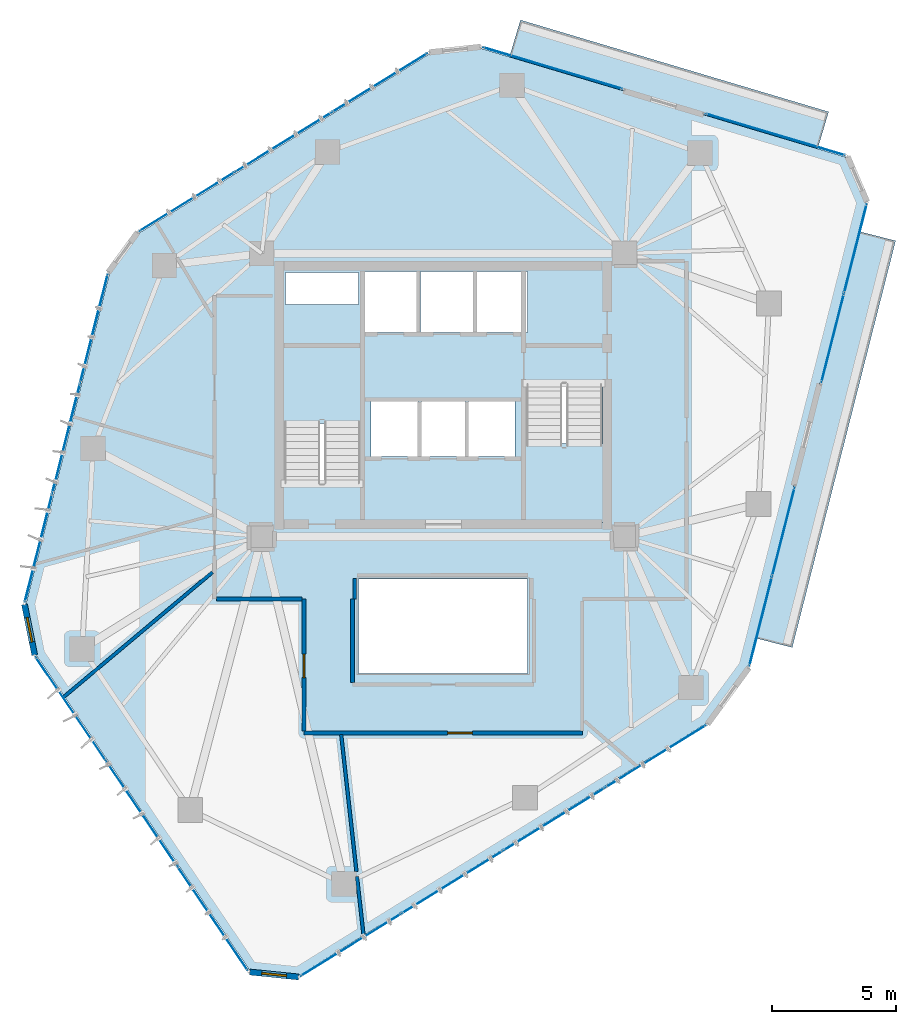
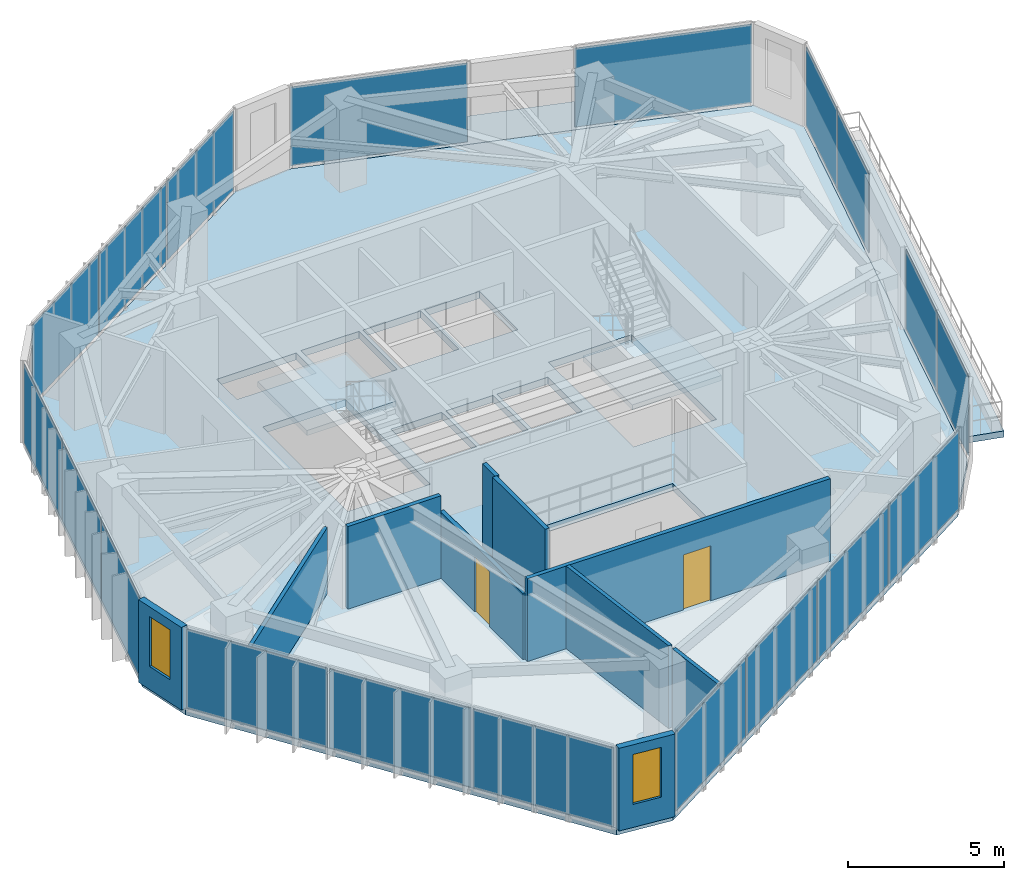
# One storey, part 15 of 21: 19 plates, 10 walls, 5 slabs, 2 doors, 2 windows, 4 openings, 10 elements without a shape of their own.
"""IFC4 building model written with IfcOpenShell, lengths in metres."""

from ifc_helpers import new_model, si_unit, direction, frame, frame_2d, origin, origin_2d, place, context, subcontext, project, spatial, polyline, rectangle, outline, extrude, source, transform, mapped, material, layer, layer_set, type_object, type_shapes, element, fill, aggregate, save


model = new_model("IFC4")

# Units and contexts
model_context = context("Model", 3, precision=1e-05, world=origin(), true_north=direction((0.0, 1.0)))
body_context = subcontext(model_context, "Body", "Model", "MODEL_VIEW")
ifc_project = project(units=[si_unit("LENGTHUNIT", "METRE"), si_unit("AREAUNIT", "SQUARE_METRE"), si_unit("VOLUMEUNIT", "CUBIC_METRE"), si_unit("PLANEANGLEUNIT", "RADIAN"), si_unit("MASSUNIT", "GRAM", prefix="KILO")], contexts=[model_context])

# Site, building, storey
site_placement = place(None, origin())
site = spatial("IfcSite", under=ifc_project, at=site_placement, CompositionType="ELEMENT")
building_placement = place(site_placement, origin())
building = spatial("IfcBuilding", under=site, at=building_placement, Name="Talar Marvaseh", CompositionType="ELEMENT")
storey_placement = place(building_placement, frame((0.0, 0.0, 184.5)))
storey = spatial("IfcBuildingStorey", under=building, at=storey_placement, Name="L48", CompositionType="ELEMENT", Elevation=184.5)

# Slabs
ifc_material_1 = material(Name="Concrete C40/50", Category="concrete")
ifc_layer_1 = layer(ifc_material_1, 0.2451171875)
ifc_layer_set_1 = layer_set([ifc_layer_1], Name="Concrete C40/50")
slab_type_1 = type_object("IfcSlabType", Name="External Cantilevered Planted Terrace Slab 245", PredefinedType="FLOOR", material=ifc_layer_set_1)
slab_1_placement = place(storey_placement, frame((0.0, 0.0, -0.2451171875)))
element("IfcSlab", 1, at=slab_1_placement, inside=storey, type_object=slab_type_1, Name="L48 Planted Balcony Terrace 1", PredefinedType="FLOOR", context=body_context, shape_type="SweptSolid", body=[
    extrude(outline(polyline([(28.669677734375, 44.810546875), (41.069580078125, 41.11474609375), (41.51220703125, 42.60009765625), (29.1123046875, 46.2958984375), (28.669677734375, 44.810546875)])), origin(), (0.0, 0.0, 1.0), 0.2451171875),
])
slab_2_placement = place(storey_placement, frame((0.0, 0.0, -0.2451171875)))
element("IfcSlab", 2, at=slab_2_placement, inside=storey, type_object=slab_type_1, Name="L48 Planted Balcony Terrace 2", PredefinedType="FLOOR", context=body_context, shape_type="SweptSolid", body=[
    extrude(outline(polyline([(42.70703125, 37.79296875), (38.547607421875, 21.425048828125), (40.0498046875, 21.043212890625), (44.209228515625, 37.4111328125), (42.70703125, 37.79296875)])), origin(), (0.0, 0.0, 1.0), 0.2451171875),
])

# Stair, slab
stair_type = type_object("IfcStairType", Name="Reinforced Concrete High-Rise Exit Stair Type C", PredefinedType="HALF_TURN_STAIR", material=ifc_material_1)
stair_1_placement = place(storey_placement, origin())
stair_1 = element("IfcStair", 3, at=stair_1_placement, inside=storey, type_object=stair_type, Name="L48 Tower West Core Exit Stair", PredefinedType="HALF_TURN_STAIR")
ifc_layer_2 = layer(ifc_material_1, 0.199951171875)
ifc_layer_set_2 = layer_set([ifc_layer_2], Name="Concrete C40/50")
slab_type_2 = type_object("IfcSlabType", Name="Reinforced Concrete Stair Half-Landing Slab 200", PredefinedType="LANDING", material=ifc_layer_set_2)
slab_3_placement = place(storey_placement, frame((0.0, 0.0, 1.550048828125)))
slab_3 = element("IfcSlab", 4, at=slab_3_placement, type_object=slab_type_2, Name="ST-1 landing 1", PredefinedType="LANDING", context=body_context, shape_type="SweptSolid", body=[
    extrude(outline(polyline([(22.780029296875, 30.050048828125), (22.780029296875, 33.219970703125), (19.47998046875, 33.219970703125), (19.47998046875, 30.050048828125), (22.780029296875, 30.050048828125)])), origin(), (0.0, 0.0, 1.0), 0.199951171875),
])
aggregate(stair_1, [slab_3])

stair_2_placement = place(storey_placement, origin())
stair_2 = element("IfcStair", 5, at=stair_2_placement, inside=storey, type_object=stair_type, Name="L48 Tower East Core Exit Stair", PredefinedType="HALF_TURN_STAIR")
slab_4_placement = place(storey_placement, frame((0.0, 0.0, 1.550048828125)))
slab_4 = element("IfcSlab", 6, at=slab_4_placement, type_object=slab_type_2, Name="ST-2 landing 1", PredefinedType="LANDING", context=body_context, shape_type="SweptSolid", body=[
    extrude(outline(polyline([(29.219970703125, 29.25), (29.219970703125, 26.080078125), (32.52001953125, 26.080078125), (32.52001953125, 29.25), (29.219970703125, 29.25)])), origin(), (0.0, 0.0, 1.0), 0.199951171875),
])
aggregate(stair_2, [slab_4])

# Slab
ifc_layer_3 = layer(ifc_material_1, 0.27001953125)
ifc_layer_set_3 = layer_set([ifc_layer_3], Name="Concrete C40/50")
slab_type_3 = type_object("IfcSlabType", Name="Structural Suspended Floor Slab 270", PredefinedType="FLOOR", material=ifc_layer_set_3)
slab_5_placement = place(storey_placement, frame((0.0, 0.0, -0.27001953125)))
element("IfcSlab", 7, at=slab_5_placement, inside=storey, type_object=slab_type_3, Name="L48 Tower Floor Slab", PredefinedType="FLOOR", context=body_context, shape_type="SweptSolid", body=[
    extrude(outline(polyline([(20.18701171875, 7.83935546875), (18.219482421875, 8.0400390625), (9.62060546875, 20.7421875), (9.208740234375, 22.789794921875), (12.572998046875, 36.10302734375), (13.757568359375, 37.718505859375), (25.44287109375, 44.930419921875), (27.51953125, 45.1533203125), (42.219482421875, 40.77197265625), (43.002685546875, 38.955810546875), (38.251953125, 20.261962890625), (36.587158203125, 17.99169921875), (20.18701171875, 7.83935546875)]), holes=[polyline([(22.659912109375, 27.64990234375), (22.659912109375, 33.10009765625), (19.60009765625, 33.10009765625), (19.60009765625, 27.64990234375), (22.659912109375, 27.64990234375)]), polyline([(29.340087890625, 31.64990234375), (29.340087890625, 26.199951171875), (32.39990234375, 26.199951171875), (32.39990234375, 31.64990234375), (29.340087890625, 31.64990234375)]), polyline([(22.800048828125, 33.719970703125), (24.93994140625, 33.719970703125), (24.93994140625, 36.179931640625), (22.800048828125, 36.179931640625), (22.800048828125, 33.719970703125)]), polyline([(25.080078125, 33.719970703125), (27.219970703125, 33.719970703125), (27.219970703125, 36.179931640625), (25.080078125, 36.179931640625), (25.080078125, 33.719970703125)]), polyline([(27.360107421875, 33.719970703125), (29.39990234375, 33.719970703125), (29.39990234375, 36.179931640625), (27.360107421875, 36.179931640625), (27.360107421875, 33.719970703125)]), polyline([(23.10009765625, 28.719970703125), (24.97998046875, 28.719970703125), (24.97998046875, 30.93994140625), (23.10009765625, 30.93994140625), (23.10009765625, 28.719970703125)]), polyline([(25.1201171875, 28.719970703125), (26.8798828125, 28.719970703125), (26.8798828125, 30.93994140625), (25.1201171875, 30.93994140625), (25.1201171875, 28.719970703125)]), polyline([(27.02001953125, 28.719970703125), (28.89990234375, 28.719970703125), (28.89990234375, 30.93994140625), (27.02001953125, 30.93994140625), (27.02001953125, 28.719970703125)]), polyline([(19.659912109375, 34.840087890625), (22.60009765625, 34.840087890625), (22.60009765625, 36.139892578125), (19.659912109375, 36.139892578125), (19.659912109375, 34.840087890625)]), polyline([(22.60009765625, 20.0), (29.39990234375, 20.0), (29.39990234375, 23.800048828125), (22.60009765625, 23.800048828125), (22.60009765625, 20.0)])]), origin(), (0.0, 0.0, 1.0), 0.27001953125),
])

# Curtain wall, plates
ifc_material_2 = material(Name="Architectural Aluminium", Category="aluminium")
ifc_layer_4 = layer(ifc_material_2, 0.18994140625)
ifc_layer_set_4 = layer_set([ifc_layer_4], Name="Architectural Aluminium")
curtain_wall_type = type_object("IfcCurtainWallType", Name="Unitised Solar Atelier Curtain Wall Z3", PredefinedType="NOTDEFINED", material=ifc_layer_set_4)
curtain_wall_1_placement = place(storey_placement, origin())
curtain_wall_1 = element("IfcCurtainWall", 8, at=curtain_wall_1_placement, inside=storey, type_object=curtain_wall_type, Name="L48 Unitised Solar Atelier Curtain Wall Z3", PredefinedType="NOTDEFINED")
ifc_material_3 = material(Name="Laminated Low-E Solar Glass", Category="glass")
ifc_layer_5 = layer(ifc_material_3, 0.028076171875)
ifc_layer_set_5 = layer_set([ifc_layer_5], Name="Laminated Low-E Solar Glass")
plate_type = type_object("IfcPlateType", Name="Double-Glazed Low-E Vision Curtain Panel 28", PredefinedType="CURTAIN_PANEL", material=ifc_layer_set_5)
shared_shape_1 = source(origin(), body_context, "Body", "SweptSolid", [
    extrude(rectangle(XDim=5.00048828125, YDim=0.028076171875, at=origin_2d()), origin(), (0.0, 0.0, 1.0), 3.080078125),
])
plate_1_placement = place(storey_placement, frame((16.726318359375, 10.13916015625, 0.074951171875), z_axis=(0.0, 0.0, 1.0), x_axis=(-0.560588215031, 0.82809471268, 0.0)))
plate_1 = element("IfcPlate", 9, at=plate_1_placement, type_object=plate_type, Name="CW-Z3 panel 1.1", PredefinedType="CURTAIN_PANEL", context=body_context, shape_type="MappedRepresentation", body=[
    mapped(shared_shape_1, transform((0.0, 0.0, 0.0), x_axis=(1.0, 0.0, 0.0), y_axis=(0.0, 1.0, 0.0), z_axis=(0.0, 0.0, 1.0), scale=1.0)),
])
plate_2_placement = place(storey_placement, frame((11.0146484375, 18.576171875, 0.074951171875), z_axis=(0.0, 0.0, 1.0), x_axis=(-0.560588215031, 0.82809471268, 0.0)))
plate_2 = element("IfcPlate", 10, at=plate_2_placement, type_object=plate_type, Name="CW-Z3 panel 3.1", PredefinedType="CURTAIN_PANEL", context=body_context, shape_type="MappedRepresentation", body=[
    mapped(shared_shape_1, transform((0.0, 0.0, 0.0), x_axis=(1.0, 0.0, 0.0), y_axis=(0.0, 1.0, 0.0), z_axis=(0.0, 0.0, 1.0), scale=1.0)),
])
shared_shape_2 = source(origin(), body_context, "Body", "SweptSolid", [
    extrude(rectangle(XDim=5.0380859375, YDim=0.028076171875, at=origin_2d()), origin(), (0.0, 0.0, 1.0), 3.080078125),
])
plate_3_placement = place(storey_placement, frame((13.870361328125, 14.357666015625, 0.074951171875), z_axis=(0.0, 0.0, 1.0), x_axis=(-0.560588215031, 0.82809471268, 0.0)))
plate_3 = element("IfcPlate", 11, at=plate_3_placement, type_object=plate_type, Name="CW-Z3 panel 2.1", PredefinedType="CURTAIN_PANEL", context=body_context, shape_type="MappedRepresentation", body=[
    mapped(shared_shape_2, transform((0.0, 0.0, 0.0), x_axis=(1.0, 0.0, 0.0), y_axis=(0.0, 1.0, 0.0), z_axis=(0.0, 0.0, 1.0), scale=1.0)),
])
aggregate(curtain_wall_1, [plate_1, plate_3, plate_2])

curtain_wall_2_placement = place(storey_placement, origin())
curtain_wall_2 = element("IfcCurtainWall", 12, at=curtain_wall_2_placement, inside=storey, type_object=curtain_wall_type, Name="L48 Unitised Solar Atelier Curtain Wall Z3", PredefinedType="NOTDEFINED")
shared_shape_3 = source(origin(), body_context, "Body", "SweptSolid", [
    extrude(rectangle(XDim=4.46484375, YDim=0.028076171875, at=origin_2d()), origin(), (0.0, 0.0, 1.0), 3.080078125),
])
plate_4_placement = place(storey_placement, frame((9.7158203125, 25.041748046875, 0.074951171875), z_axis=(0.0, 0.0, 1.0), x_axis=(0.245002294189, 0.969522498884, 0.0)))
plate_4 = element("IfcPlate", 13, at=plate_4_placement, type_object=plate_type, Name="CW-Z3 panel 1.1", PredefinedType="CURTAIN_PANEL", context=body_context, shape_type="MappedRepresentation", body=[
    mapped(shared_shape_3, transform((0.0, 0.0, 0.0), x_axis=(1.0, 0.0, 0.0), y_axis=(0.0, 1.0, 0.0), z_axis=(0.0, 0.0, 1.0), scale=1.0)),
])
plate_5_placement = place(storey_placement, frame((11.94970703125, 33.880859375, 0.074951171875), z_axis=(0.0, 0.0, 1.0), x_axis=(0.245002294189, 0.969522498884, 0.0)))
plate_5 = element("IfcPlate", 14, at=plate_5_placement, type_object=plate_type, Name="CW-Z3 panel 3.1", PredefinedType="CURTAIN_PANEL", context=body_context, shape_type="MappedRepresentation", body=[
    mapped(shared_shape_3, transform((0.0, 0.0, 0.0), x_axis=(1.0, 0.0, 0.0), y_axis=(0.0, 1.0, 0.0), z_axis=(0.0, 0.0, 1.0), scale=1.0)),
])
shared_shape_4 = source(origin(), body_context, "Body", "SweptSolid", [
    extrude(rectangle(XDim=4.502197265625, YDim=0.028076171875, at=origin_2d()), origin(), (0.0, 0.0, 1.0), 3.080078125),
])
plate_6_placement = place(storey_placement, frame((10.832763671875, 29.461181640625, 0.074951171875), z_axis=(0.0, 0.0, 1.0), x_axis=(0.245002294189, 0.969522498884, 0.0)))
plate_6 = element("IfcPlate", 15, at=plate_6_placement, type_object=plate_type, Name="CW-Z3 panel 2.1", PredefinedType="CURTAIN_PANEL", context=body_context, shape_type="MappedRepresentation", body=[
    mapped(shared_shape_4, transform((0.0, 0.0, 0.0), x_axis=(1.0, 0.0, 0.0), y_axis=(0.0, 1.0, 0.0), z_axis=(0.0, 0.0, 1.0), scale=1.0)),
])
aggregate(curtain_wall_2, [plate_4, plate_6, plate_5])

# Curtain wall, plate
curtain_wall_3_placement = place(storey_placement, origin())
curtain_wall_3 = element("IfcCurtainWall", 16, at=curtain_wall_3_placement, inside=storey, type_object=curtain_wall_type, Name="L48 Unitised Solar Atelier Curtain Wall Z3", PredefinedType="NOTDEFINED")
plate_7_placement = place(storey_placement, frame((19.56884765625, 41.37548828125, 0.074951171875), z_axis=(0.0, 0.0, 1.0), x_axis=(0.850976735359, 0.525203385249, 0.0)))
plate_7 = element("IfcPlate", 17, at=plate_7_placement, type_object=plate_type, Name="CW-Z3 panel 2.1", PredefinedType="CURTAIN_PANEL", context=body_context, shape_type="MappedRepresentation", body=[
    mapped(shared_shape_4, transform((0.0, 0.0, 0.0), x_axis=(1.0, 0.0, 0.0), y_axis=(0.0, 1.0, 0.0), z_axis=(0.0, 0.0, 1.0), scale=1.0)),
])

# Curtain wall, plates
curtain_wall_4_placement = place(storey_placement, origin())
curtain_wall_4 = element("IfcCurtainWall", 18, at=curtain_wall_4_placement, inside=storey, type_object=curtain_wall_type, Name="L48 Unitised Solar Atelier Curtain Wall Z3", PredefinedType="NOTDEFINED")
shared_shape_5 = source(origin(), body_context, "Body", "SweptSolid", [
    extrude(rectangle(XDim=4.70947265625, YDim=0.028076171875, at=origin_2d()), origin(), (0.0, 0.0, 1.0), 3.080078125),
])
plate_8_placement = place(storey_placement, frame((34.552734375, 16.661865234375, 0.074951171875), z_axis=(0.0, 0.0, 1.0), x_axis=(-0.850268461368, -0.526349260096, 0.0)))
plate_8 = element("IfcPlate", 19, at=plate_8_placement, type_object=plate_type, Name="CW-Z3 panel 1.1", PredefinedType="CURTAIN_PANEL", context=body_context, shape_type="MappedRepresentation", body=[
    mapped(shared_shape_5, transform((0.0, 0.0, 0.0), x_axis=(1.0, 0.0, 0.0), y_axis=(0.0, 1.0, 0.0), z_axis=(0.0, 0.0, 1.0), scale=1.0)),
])
plate_9_placement = place(storey_placement, frame((22.28466796875, 9.0673828125, 0.074951171875), z_axis=(0.0, 0.0, 1.0), x_axis=(-0.850268461368, -0.526349260096, 0.0)))
plate_9 = element("IfcPlate", 20, at=plate_9_placement, type_object=plate_type, Name="CW-Z3 panel 4.1", PredefinedType="CURTAIN_PANEL", context=body_context, shape_type="MappedRepresentation", body=[
    mapped(shared_shape_5, transform((0.0, 0.0, 0.0), x_axis=(1.0, 0.0, 0.0), y_axis=(0.0, 1.0, 0.0), z_axis=(0.0, 0.0, 1.0), scale=1.0)),
])
shared_shape_6 = source(origin(), body_context, "Body", "SweptSolid", [
    extrude(rectangle(XDim=4.7470703125, YDim=0.028076171875, at=origin_2d()), origin(), (0.0, 0.0, 1.0), 3.080078125),
])
plate_10_placement = place(storey_placement, frame((30.46875, 14.133544921875, 0.074951171875), z_axis=(0.0, 0.0, 1.0), x_axis=(-0.850268461368, -0.526349260096, 0.0)))
plate_10 = element("IfcPlate", 21, at=plate_10_placement, type_object=plate_type, Name="CW-Z3 panel 2.1", PredefinedType="CURTAIN_PANEL", context=body_context, shape_type="MappedRepresentation", body=[
    mapped(shared_shape_6, transform((0.0, 0.0, 0.0), x_axis=(1.0, 0.0, 0.0), y_axis=(0.0, 1.0, 0.0), z_axis=(0.0, 0.0, 1.0), scale=1.0)),
])
plate_11_placement = place(storey_placement, frame((26.36865234375, 11.595458984375, 0.074951171875), z_axis=(0.0, 0.0, 1.0), x_axis=(-0.850268461368, -0.526349260096, 0.0)))
plate_11 = element("IfcPlate", 22, at=plate_11_placement, type_object=plate_type, Name="CW-Z3 panel 3.1", PredefinedType="CURTAIN_PANEL", context=body_context, shape_type="MappedRepresentation", body=[
    mapped(shared_shape_6, transform((0.0, 0.0, 0.0), x_axis=(1.0, 0.0, 0.0), y_axis=(0.0, 1.0, 0.0), z_axis=(0.0, 0.0, 1.0), scale=1.0)),
])
aggregate(curtain_wall_4, [plate_8, plate_10, plate_11, plate_9])

# Plate
shared_shape_7 = source(origin(), body_context, "Body", "SweptSolid", [
    extrude(rectangle(XDim=4.464599609375, YDim=0.028076171875, at=origin_2d()), origin(), (0.0, 0.0, 1.0), 3.080078125),
])
plate_12_placement = place(storey_placement, frame((15.689697265625, 38.9814453125, 0.074951171875), z_axis=(0.0, 0.0, 1.0), x_axis=(0.850976735359, 0.525203385249, 0.0)))
plate_12 = element("IfcPlate", 23, at=plate_12_placement, type_object=plate_type, Name="CW-Z3 panel 1.1", PredefinedType="CURTAIN_PANEL", context=body_context, shape_type="MappedRepresentation", body=[
    mapped(shared_shape_7, transform((0.0, 0.0, 0.0), x_axis=(1.0, 0.0, 0.0), y_axis=(0.0, 1.0, 0.0), z_axis=(0.0, 0.0, 1.0), scale=1.0)),
])

plate_13_placement = place(storey_placement, frame((23.447998046875, 43.769775390625, 0.074951171875), z_axis=(0.0, 0.0, 1.0), x_axis=(0.850976735359, 0.525203385249, 0.0)))
plate_13 = element("IfcPlate", 24, at=plate_13_placement, type_object=plate_type, Name="CW-Z3 panel 3.1", PredefinedType="CURTAIN_PANEL", context=body_context, shape_type="MappedRepresentation", body=[
    mapped(shared_shape_7, transform((0.0, 0.0, 0.0), x_axis=(1.0, 0.0, 0.0), y_axis=(0.0, 1.0, 0.0), z_axis=(0.0, 0.0, 1.0), scale=1.0)),
])

aggregate(curtain_wall_3, [plate_12, plate_7, plate_13])

# Curtain wall, plate
curtain_wall_5_placement = place(storey_placement, origin())
curtain_wall_5 = element("IfcCurtainWall", 25, at=curtain_wall_5_placement, inside=storey, type_object=curtain_wall_type, Name="L48 Unitised Solar Atelier Curtain Wall Z3", PredefinedType="NOTDEFINED")
shared_shape_8 = source(origin(), body_context, "Body", "SweptSolid", [
    extrude(rectangle(XDim=5.832275390625, YDim=0.028076171875, at=origin_2d()), origin(), (0.0, 0.0, 1.0), 3.080078125),
])
plate_14_placement = place(storey_placement, frame((30.4033203125, 44.3564453125, 0.074951171875), z_axis=(0.0, 0.0, 1.0), x_axis=(0.958340033669, -0.285629795133, 0.0)))
plate_14 = element("IfcPlate", 26, at=plate_14_placement, type_object=plate_type, Name="CW-Z3 panel 1.1", PredefinedType="CURTAIN_PANEL", context=body_context, shape_type="MappedRepresentation", body=[
    mapped(shared_shape_8, transform((0.0, 0.0, 0.0), x_axis=(1.0, 0.0, 0.0), y_axis=(0.0, 1.0, 0.0), z_axis=(0.0, 0.0, 1.0), scale=1.0)),
])
aggregate(curtain_wall_5, [plate_14])

curtain_wall_6_placement = place(storey_placement, origin())
curtain_wall_6 = element("IfcCurtainWall", 27, at=curtain_wall_6_placement, inside=storey, type_object=curtain_wall_type, Name="L48 Unitised Solar Atelier Curtain Wall Z3", PredefinedType="NOTDEFINED")
plate_15_placement = place(storey_placement, frame((39.3701171875, 41.683837890625, 0.074951171875), z_axis=(0.0, 0.0, 1.0), x_axis=(0.958340033669, -0.285629795133, 0.0)))
plate_15 = element("IfcPlate", 28, at=plate_15_placement, type_object=plate_type, Name="CW-Z3 panel 1.1", PredefinedType="CURTAIN_PANEL", context=body_context, shape_type="MappedRepresentation", body=[
    mapped(shared_shape_8, transform((0.0, 0.0, 0.0), x_axis=(1.0, 0.0, 0.0), y_axis=(0.0, 1.0, 0.0), z_axis=(0.0, 0.0, 1.0), scale=1.0)),
])
aggregate(curtain_wall_6, [plate_15])

# Curtain wall, plates
curtain_wall_7_placement = place(storey_placement, origin())
curtain_wall_7 = element("IfcCurtainWall", 29, at=curtain_wall_7_placement, inside=storey, type_object=curtain_wall_type, Name="L48 Unitised Solar Atelier Curtain Wall Z3", PredefinedType="NOTDEFINED")
shared_shape_9 = source(origin(), body_context, "Body", "SweptSolid", [
    extrude(rectangle(XDim=3.648681640625, YDim=0.028076171875, at=origin_2d()), origin(), (0.0, 0.0, 1.0), 3.080078125),
])
type_shapes(plate_type, [shared_shape_1, shared_shape_2, shared_shape_3, shared_shape_4, shared_shape_5, shared_shape_6, shared_shape_7, shared_shape_8, shared_shape_9])
plate_16_placement = place(storey_placement, frame((42.593017578125, 37.100341796875, 0.074951171875), z_axis=(0.0, 0.0, 1.0), x_axis=(-0.246306080618, -0.969192093782, 0.0)))
plate_16 = element("IfcPlate", 30, at=plate_16_placement, type_object=plate_type, Name="CW-Z3 panel 1.1", PredefinedType="CURTAIN_PANEL", context=body_context, shape_type="MappedRepresentation", body=[
    mapped(shared_shape_9, transform((0.0, 0.0, 0.0), x_axis=(1.0, 0.0, 0.0), y_axis=(0.0, 1.0, 0.0), z_axis=(0.0, 0.0, 1.0), scale=1.0)),
])
plate_17_placement = place(storey_placement, frame((41.67578125, 33.4912109375, 0.074951171875), z_axis=(0.0, 0.0, 1.0), x_axis=(-0.246306080618, -0.969192093782, 0.0)))
plate_17 = element("IfcPlate", 31, at=plate_17_placement, type_object=plate_type, Name="CW-Z3 panel 2.1", PredefinedType="CURTAIN_PANEL", context=body_context, shape_type="MappedRepresentation", body=[
    mapped(shared_shape_9, transform((0.0, 0.0, 0.0), x_axis=(1.0, 0.0, 0.0), y_axis=(0.0, 1.0, 0.0), z_axis=(0.0, 0.0, 1.0), scale=1.0)),
])
aggregate(curtain_wall_7, [plate_16, plate_17])

curtain_wall_8_placement = place(storey_placement, origin())
curtain_wall_8 = element("IfcCurtainWall", 32, at=curtain_wall_8_placement, inside=storey, type_object=curtain_wall_type, Name="L48 Unitised Solar Atelier Curtain Wall Z3", PredefinedType="NOTDEFINED")
plate_18_placement = place(storey_placement, frame((39.695068359375, 25.697021484375, 0.074951171875), z_axis=(0.0, 0.0, 1.0), x_axis=(-0.246306080618, -0.969192093782, 0.0)))
plate_18 = element("IfcPlate", 33, at=plate_18_placement, type_object=plate_type, Name="CW-Z3 panel 1.1", PredefinedType="CURTAIN_PANEL", context=body_context, shape_type="MappedRepresentation", body=[
    mapped(shared_shape_9, transform((0.0, 0.0, 0.0), x_axis=(1.0, 0.0, 0.0), y_axis=(0.0, 1.0, 0.0), z_axis=(0.0, 0.0, 1.0), scale=1.0)),
])
plate_19_placement = place(storey_placement, frame((38.77783203125, 22.088134765625, 0.074951171875), z_axis=(0.0, 0.0, 1.0), x_axis=(-0.246306080618, -0.969192093782, 0.0)))
plate_19 = element("IfcPlate", 34, at=plate_19_placement, type_object=plate_type, Name="CW-Z3 panel 2.1", PredefinedType="CURTAIN_PANEL", context=body_context, shape_type="MappedRepresentation", body=[
    mapped(shared_shape_9, transform((0.0, 0.0, 0.0), x_axis=(1.0, 0.0, 0.0), y_axis=(0.0, 1.0, 0.0), z_axis=(0.0, 0.0, 1.0), scale=1.0)),
])
aggregate(curtain_wall_8, [plate_18, plate_19])

# Wall, opening, window
ifc_material_4 = material(Name="Precast concrete C45/55", Category="concrete")
ifc_layer_6 = layer(ifc_material_4, 0.239990234375)
ifc_layer_set_6 = layer_set([ifc_layer_6], Name="Precast concrete C45/55")
wall_type_1 = type_object("IfcWallType", Name="Chamfered Hexagonal Corner Pier Wall Z3 240", PredefinedType="SOLIDWALL", material=ifc_layer_set_6)
wall_1_placement = place(storey_placement, frame((20.180908203125, 7.77978515625, 0.0), z_axis=(0.0, 0.0, 1.0), x_axis=(-0.994838466762, 0.10147130161, 0.0)))
wall_1 = element("IfcWall", 35, at=wall_1_placement, inside=storey, type_object=wall_type_1, Name="L48 Chamfered Corner Limestone Pier 1", PredefinedType="SOLIDWALL", context=body_context, shape_type="SweptSolid", body=[
    extrude(rectangle(XDim=1.977783203125, YDim=0.239990234375, at=frame_2d((0.98876953125, 0.0))), origin(), (0.0, 0.0, 1.0), 3.22998046875),
])
opening_1_placement = place(wall_1_placement, frame((0.489013671875, 0.0, 0.89990234375)))
opening_1 = element("IfcOpeningElement", 36, at=opening_1_placement, cuts=wall_1, Name="Opening WN-CHM10", PredefinedType="OPENING", context=body_context, shape_type="SweptSolid", body=[
    extrude(rectangle(XDim=1.0, YDim=1.949951171875, at=frame_2d((0.5, 0.97509765625))), frame((0.0, 0.1298828125, 0.0), z_axis=(0.0, -1.0, 0.0), x_axis=(1.0, 0.0, 0.0)), (0.0, 0.0, 1.0), 0.260009765625),
])
window_type = type_object("IfcWindowType", Name="Zone 3 Chamfered Corner Slot Window 1000x1950", PartitioningType="SINGLE_PANEL", PredefinedType="WINDOW", material=ifc_material_3)
shared_shape_10 = source(origin(), body_context, "Body", "SweptSolid", [
    extrude(rectangle(XDim=1.0, YDim=1.949951171875, at=frame_2d((0.5, 0.97509765625))), frame((0.0, 0.030029296875, 0.0), z_axis=(0.0, -1.0, 0.0), x_axis=(1.0, 0.0, 0.0)), (0.0, 0.0, 1.0), 0.06005859375),
])
type_shapes(window_type, [shared_shape_10])
window_1_placement = place(opening_1_placement, origin())
window_1 = element("IfcWindow", 37, at=window_1_placement, inside=storey, type_object=window_type, Name="L48 Chamfered Corner Slot Window", OverallHeight=1.949951171875, OverallWidth=1.0, PartitioningType="SINGLE_PANEL", PredefinedType="WINDOW", context=body_context, shape_type="MappedRepresentation", body=[
    mapped(shared_shape_10, transform((0.0, 0.0, 0.0), x_axis=(1.0, 0.0, 0.0), y_axis=(0.0, 1.0, 0.0), z_axis=(0.0, 0.0, 1.0), scale=1.0)),
])
fill(opening_1, window_1)

wall_2_placement = place(storey_placement, frame((9.56201171875, 20.73046875, 0.0), z_axis=(0.0, 0.0, 1.0), x_axis=(-0.197307351314, 0.980341679782, 0.0)))
wall_2 = element("IfcWall", 38, at=wall_2_placement, inside=storey, type_object=wall_type_1, Name="L48 Chamfered Corner Limestone Pier 2", PredefinedType="SOLIDWALL", context=body_context, shape_type="SweptSolid", body=[
    extrude(rectangle(XDim=2.088623046875, YDim=0.239990234375, at=frame_2d((1.04443359375, 0.0))), origin(), (0.0, 0.0, 1.0), 3.22998046875),
])
opening_2_placement = place(wall_2_placement, frame((0.5439453125, 0.0, 0.89990234375)))
opening_2 = element("IfcOpeningElement", 39, at=opening_2_placement, cuts=wall_2, Name="Opening WN-CHM10", PredefinedType="OPENING", context=body_context, shape_type="SweptSolid", body=[
    extrude(rectangle(XDim=1.0, YDim=1.949951171875, at=frame_2d((0.5, 0.97509765625))), frame((0.0, 0.1298828125, 0.0), z_axis=(0.0, -1.0, 0.0), x_axis=(1.0, 0.0, 0.0)), (0.0, 0.0, 1.0), 0.260009765625),
])
window_2_placement = place(opening_2_placement, origin())
window_2 = element("IfcWindow", 40, at=window_2_placement, inside=storey, type_object=window_type, Name="L48 Chamfered Corner Slot Window", OverallHeight=1.949951171875, OverallWidth=1.0, PartitioningType="SINGLE_PANEL", PredefinedType="WINDOW", context=body_context, shape_type="MappedRepresentation", body=[
    mapped(shared_shape_10, transform((0.0, 0.0, 0.0), x_axis=(1.0, 0.0, 0.0), y_axis=(0.0, 1.0, 0.0), z_axis=(0.0, 0.0, 1.0), scale=1.0)),
])
fill(opening_2, window_2)

# Wall, opening, door
ifc_material_5 = material(Name="Gypsum Board Partition Assembly")
ifc_layer_7 = layer(ifc_material_5, 0.155029296875)
ifc_layer_set_7 = layer_set([ifc_layer_7], Name="Gypsum Board Partition Assembly")
wall_type_2 = type_object("IfcWallType", Name="Corridor Fire-Rated Acoustic Partition 155", PredefinedType="PARTITIONING", material=ifc_layer_set_7)
wall_3_placement = place(storey_placement, frame((31.60009765625, 17.60009765625, 0.0), z_axis=(0.0, 0.0, 1.0), x_axis=(-1.0, 0.0, 0.0)))
wall_3 = element("IfcWall", 41, at=wall_3_placement, inside=storey, type_object=wall_type_2, Name="L48 Interior Partition Wall", PredefinedType="PARTITIONING", context=body_context, shape_type="SweptSolid", body=[
    extrude(rectangle(XDim=11.2001953125, YDim=0.155029296875, at=frame_2d((5.60009765625, 0.0))), origin(), (0.0, 0.0, 1.0), 3.22998046875),
])
opening_3_placement = place(wall_3_placement, frame((4.42333984375, 0.0, 0.0)))
opening_3 = element("IfcOpeningElement", 42, at=opening_3_placement, cuts=wall_3, Name="Opening DR-RM100", PredefinedType="OPENING", context=body_context, shape_type="SweptSolid", body=[
    extrude(rectangle(XDim=1.0, YDim=2.14990234375, at=frame_2d((0.5, 1.074951171875))), frame((0.0, 0.08740234375, 0.0), z_axis=(0.0, -1.0, 0.0), x_axis=(1.0, 0.0, 0.0)), (0.0, 0.0, 1.0), 0.175048828125),
])
ifc_material_6 = material(Name="Acoustic Engineered Oak Timber", Category="wood")
door_type_1 = type_object("IfcDoorType", Name="Corridor Fire-Rated Gallery Door 1000x2150", OperationType="NOTDEFINED", PredefinedType="DOOR", material=ifc_material_6)
shared_shape_11 = source(origin(), body_context, "Body", "SweptSolid", [
    extrude(rectangle(XDim=1.0, YDim=2.14990234375, at=frame_2d((0.5, 1.074951171875))), frame((0.0, 0.02490234375, 0.0), z_axis=(0.0, -1.0, 0.0), x_axis=(1.0, 0.0, 0.0)), (0.0, 0.0, 1.0), 0.050048828125),
])
type_shapes(door_type_1, [shared_shape_11])
door_1_placement = place(opening_3_placement, origin())
door_1 = element("IfcDoor", 43, at=door_1_placement, inside=storey, type_object=door_type_1, Name="L48 Colloquium Boardroom Door", OperationType="SINGLE_SWING_LEFT", OverallHeight=2.14990234375, OverallWidth=1.0, PredefinedType="DOOR", context=body_context, shape_type="MappedRepresentation", body=[
    mapped(shared_shape_11, transform((0.0, 0.0, 0.0), x_axis=(1.0, 0.0, 0.0), y_axis=(0.0, 1.0, 0.0), z_axis=(0.0, 0.0, 1.0), scale=1.0)),
])
fill(opening_3, door_1)

wall_4_placement = place(storey_placement, frame((20.39990234375, 17.68359375, 0.0), z_axis=(0.0, 0.0, 1.0), x_axis=(0.0, 1.0, 0.0)))
wall_4 = element("IfcWall", 44, at=wall_4_placement, inside=storey, type_object=wall_type_2, Name="L48 Interior Partition Wall", PredefinedType="PARTITIONING", context=body_context, shape_type="SweptSolid", body=[
    extrude(rectangle(XDim=5.31640625, YDim=0.155029296875, at=frame_2d((2.658203125, 0.0))), origin(), (0.0, 0.0, 1.0), 2.589111328125),
])
opening_4_placement = place(wall_4_placement, frame((2.1416015625, 0.0, 0.0)))
opening_4 = element("IfcOpeningElement", 45, at=opening_4_placement, cuts=wall_4, Name="Opening DR-WC095", PredefinedType="OPENING", context=body_context, shape_type="SweptSolid", body=[
    extrude(rectangle(XDim=0.949951171875, YDim=2.14990234375, at=frame_2d((0.47509765625, 1.074951171875))), frame((0.0, 0.08740234375, 0.0), z_axis=(0.0, -1.0, 0.0), x_axis=(1.0, 0.0, 0.0)), (0.0, 0.0, 1.0), 0.175048828125),
])
door_type_2 = type_object("IfcDoorType", Name="Washroom and Service Room Door 950x2150", OperationType="NOTDEFINED", PredefinedType="DOOR", material=ifc_material_6)
shared_shape_12 = source(origin(), body_context, "Body", "SweptSolid", [
    extrude(rectangle(XDim=0.949951171875, YDim=2.14990234375, at=frame_2d((0.47509765625, 1.074951171875))), frame((0.0, 0.02490234375, 0.0), z_axis=(0.0, -1.0, 0.0), x_axis=(1.0, 0.0, 0.0)), (0.0, 0.0, 1.0), 0.050048828125),
])
type_shapes(door_type_2, [shared_shape_12])
door_2_placement = place(opening_4_placement, origin())
door_2 = element("IfcDoor", 46, at=door_2_placement, inside=storey, type_object=door_type_2, Name="L48 Rare Books Archive Room Door", OperationType="SINGLE_SWING_LEFT", OverallHeight=2.14990234375, OverallWidth=0.949951171875, PredefinedType="DOOR", context=body_context, shape_type="MappedRepresentation", body=[
    mapped(shared_shape_12, transform((0.0, 0.0, 0.0), x_axis=(1.0, 0.0, 0.0), y_axis=(0.0, 1.0, 0.0), z_axis=(0.0, 0.0, 1.0), scale=1.0)),
])
fill(opening_4, door_2)

# Walls
wall_5_placement = place(storey_placement, frame((20.31640625, 23.0, 0.0), z_axis=(0.0, 0.0, 1.0), x_axis=(-1.0, 0.0, 0.0)))
element("IfcWall", 47, at=wall_5_placement, inside=storey, type_object=wall_type_2, Name="L48 Interior Partition Wall", PredefinedType="PARTITIONING", context=body_context, shape_type="SweptSolid", body=[
    extrude(rectangle(XDim=3.432861328125, YDim=0.155029296875, at=frame_2d((1.71630859375, 0.0))), origin(), (0.0, 0.0, 1.0), 3.22998046875),
])
wall_6_placement = place(storey_placement, frame((22.44091796875, 23.815673828125, 0.0), z_axis=(0.0, 0.0, 1.0), x_axis=(-0.001197245475, -0.999999283301, 0.0)))
element("IfcWall", 48, at=wall_6_placement, inside=storey, type_object=wall_type_2, Name="L48 Interior Partition Wall", PredefinedType="PARTITIONING", context=body_context, shape_type="SweptSolid", body=[
    extrude(rectangle(XDim=0.815673828125, YDim=0.155029296875, at=frame_2d((0.40771484375, 0.0))), origin(), (0.0, 0.0, 1.0), 3.22998046875),
])
wall_7_placement = place(storey_placement, frame((22.35009765625, 23.0, 0.0), z_axis=(0.0, 0.0, 1.0), x_axis=(0.0, -1.0, 0.0)))
element("IfcWall", 49, at=wall_7_placement, inside=storey, type_object=wall_type_2, Name="L48 Interior Partition Wall", PredefinedType="PARTITIONING", context=body_context, shape_type="SweptSolid", body=[
    extrude(rectangle(XDim=3.366455078125, YDim=0.155029296875, at=frame_2d((1.68310546875, 0.0))), origin(), (0.0, 0.0, 1.0), 3.22998046875),
])
ifc_layer_8 = layer(ifc_material_5, 0.135009765625)
ifc_layer_set_8 = layer_set([ifc_layer_8], Name="Gypsum Board Partition Assembly")
wall_type_3 = type_object("IfcWallType", Name="Gallery High-Acoustic Partition 135", PredefinedType="PARTITIONING", material=ifc_layer_set_8)
wall_8_placement = place(storey_placement, frame((16.716552734375, 24.06982421875, 0.0), z_axis=(0.0, 0.0, 1.0), x_axis=(-0.766331397862, -0.642445475236, 0.0)))
element("IfcWall", 50, at=wall_8_placement, inside=storey, type_object=wall_type_3, Name="L48 Interior Partition Wall", PredefinedType="PARTITIONING", context=body_context, shape_type="SweptSolid", body=[
    extrude(rectangle(XDim=7.817626953125, YDim=0.135009765625, at=frame_2d((3.90869140625, 0.0))), origin(), (0.0, 0.0, 1.0), 2.589111328125),
])
wall_9_placement = place(storey_placement, frame((21.897216796875, 17.535400390625, 0.0), z_axis=(0.0, 0.0, 1.0), x_axis=(0.11062501833, -0.993862216466, 0.0)))
element("IfcWall", 51, at=wall_9_placement, inside=storey, type_object=wall_type_3, Name="L48 Interior Partition Wall", PredefinedType="PARTITIONING", context=body_context, shape_type="SweptSolid", body=[
    extrude(rectangle(XDim=5.539306640625, YDim=0.135009765625, at=frame_2d((2.76953125, 0.0))), origin(), (0.0, 0.0, 1.0), 3.22998046875),
])
wall_10_placement = place(storey_placement, frame((22.530029296875, 11.830078125, 0.0), z_axis=(0.0, 0.0, 1.0), x_axis=(0.111875349597, -0.993722247991, 0.0)))
element("IfcWall", 52, at=wall_10_placement, inside=storey, type_object=wall_type_3, Name="L48 Interior Partition Wall", PredefinedType="PARTITIONING", context=body_context, shape_type="SweptSolid", body=[
    extrude(rectangle(XDim=2.43115234375, YDim=0.135009765625, at=frame_2d((1.215576171875, 0.0))), origin(), (0.0, 0.0, 1.0), 3.22998046875),
])

save(model, "model.ifc")
